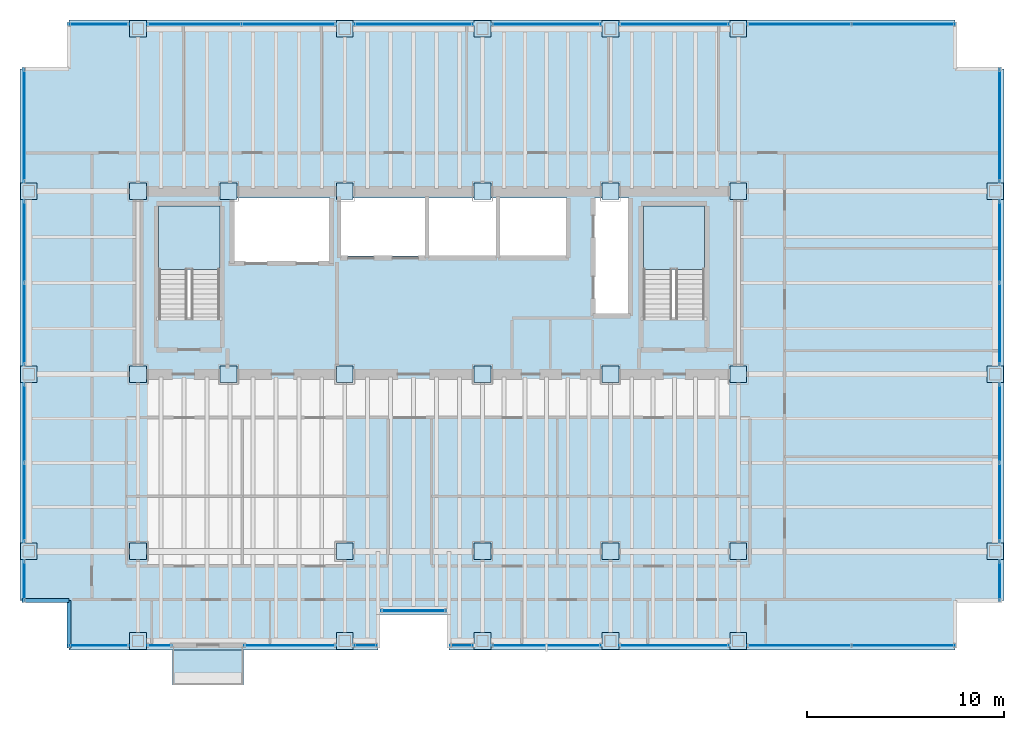
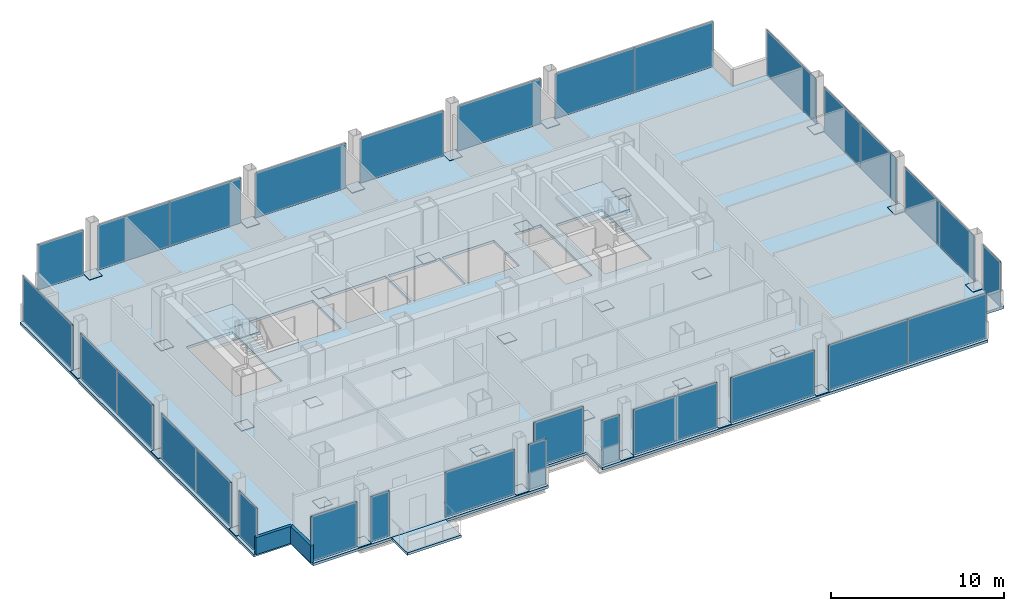
# One storey, part 16 of 20: 63 plates, 4 slabs, 2 walls, 7 openings, 25 elements without a shape of their own.
"""IFC4 building model written with IfcOpenShell, lengths in metres."""

from ifc_helpers import new_model, si_unit, direction, frame, frame_2d, origin, origin_2d, place, context, subcontext, project, spatial, polyline, rectangle, outline, extrude, material, layer, layer_set, type_object, element, aggregate, save


model = new_model("IFC4")

# Units and contexts
model_context = context("Model", 3, precision=1e-05, world=origin(), true_north=direction((0.0, 1.0)))
body_context = subcontext(model_context, "Body", "Model", "MODEL_VIEW")
ifc_project = project(units=[si_unit("LENGTHUNIT", "METRE"), si_unit("AREAUNIT", "SQUARE_METRE"), si_unit("VOLUMEUNIT", "CUBIC_METRE"), si_unit("PLANEANGLEUNIT", "RADIAN"), si_unit("MASSUNIT", "GRAM", prefix="KILO")], contexts=[model_context])

# Site, building, storey
site_placement = place(None, origin())
site = spatial("IfcSite", under=ifc_project, at=site_placement, CompositionType="ELEMENT")
building_placement = place(site_placement, origin())
building = spatial("IfcBuilding", under=site, at=building_placement, Name="Noeulbin Bourse Tower", CompositionType="ELEMENT")
storey_placement = place(building_placement, frame((0.0, 0.0, 69.39990234375)))
storey = spatial("IfcBuildingStorey", under=building, at=storey_placement, Name="L17", CompositionType="ELEMENT", Elevation=69.39990234375)

# Curtain wall, plate
ifc_material_1 = material(Name="Dark Solar-Control Double Glazing", Category="glass")
curtain_wall_type = type_object("IfcCurtainWallType", Name="CW-SYS-2", PredefinedType="NOTDEFINED", material=ifc_material_1)
curtain_wall_1_placement = place(storey_placement, origin())
curtain_wall_1 = element("IfcCurtainWall", 1, at=curtain_wall_1_placement, inside=storey, type_object=curtain_wall_type, Name="Unitised Curtain Wall CW-L17-SREC", PredefinedType="NOTDEFINED")
ifc_layer_1 = layer(ifc_material_1, 0.035888671875)
ifc_layer_set_1 = layer_set([ifc_layer_1], Name="Dark Solar-Control Double Glazing")
plate_type_1 = type_object("IfcPlateType", Name="CW-SYS-2-PNL", PredefinedType="CURTAIN_PANEL", material=ifc_layer_set_1)
plate_1_placement = place(storey_placement, frame((27.5, 16.97998046875, 0.0), z_axis=(0.0, 0.0, 1.0), x_axis=(1.0, 0.0, 0.0)))
plate_1 = element("IfcPlate", 2, at=plate_1_placement, type_object=plate_type_1, Name="Glazed Curtain Panel CW-L17-SREC-P00", PredefinedType="CURTAIN_PANEL", context=body_context, shape_type="SweptSolid", body=[
    extrude(rectangle(XDim=3.300048828125, YDim=0.035888671875, at=origin_2d()), origin(), (0.0, 0.0, 1.0), 3.179931640625),
])
aggregate(curtain_wall_1, [plate_1])

curtain_wall_2_placement = place(storey_placement, origin())
curtain_wall_2 = element("IfcCurtainWall", 3, at=curtain_wall_2_placement, inside=storey, type_object=curtain_wall_type, Name="Unitised Curtain Wall CW-L17-S1-S1", PredefinedType="NOTDEFINED")
plate_2_placement = place(storey_placement, frame((11.510009765625, 15.219970703125, 0.0), z_axis=(0.0, 0.0, 1.0), x_axis=(1.0, 0.0, 0.0)))
plate_2 = element("IfcPlate", 4, at=plate_2_placement, type_object=plate_type_1, Name="Glazed Curtain Panel CW-L17-S1-S1-P00", PredefinedType="CURTAIN_PANEL", context=body_context, shape_type="SweptSolid", body=[
    extrude(rectangle(XDim=3.06005859375, YDim=0.035888671875, at=origin_2d()), origin(), (0.0, 0.0, 1.0), 3.179931640625),
])
aggregate(curtain_wall_2, [plate_2])

curtain_wall_3_placement = place(storey_placement, origin())
curtain_wall_3 = element("IfcCurtainWall", 5, at=curtain_wall_3_placement, inside=storey, type_object=curtain_wall_type, Name="Unitised Curtain Wall CW-L17-S1-S2", PredefinedType="NOTDEFINED")
plate_3_placement = place(storey_placement, frame((14.580078125, 15.219970703125, 0.0), z_axis=(0.0, 0.0, 1.0), x_axis=(1.0, 0.0, 0.0)))
plate_3 = element("IfcPlate", 6, at=plate_3_placement, type_object=plate_type_1, Name="Glazed Curtain Panel CW-L17-S1-S2-P00", PredefinedType="CURTAIN_PANEL", context=body_context, shape_type="SweptSolid", body=[
    extrude(rectangle(XDim=1.239990234375, YDim=0.035888671875, at=origin_2d()), origin(), (0.0, 0.0, 1.0), 3.179931640625),
])
aggregate(curtain_wall_3, [plate_3])

curtain_wall_4_placement = place(storey_placement, origin())
curtain_wall_4 = element("IfcCurtainWall", 7, at=curtain_wall_4_placement, inside=storey, type_object=curtain_wall_type, Name="Unitised Curtain Wall CW-L17-S2-S1", PredefinedType="NOTDEFINED")
plate_4_placement = place(storey_placement, frame((21.219970703125, 15.219970703125, 0.0), z_axis=(0.0, 0.0, 1.0), x_axis=(1.0, 0.0, 0.0)))
plate_4 = element("IfcPlate", 8, at=plate_4_placement, type_object=plate_type_1, Name="Glazed Curtain Panel CW-L17-S2-S1-P00", PredefinedType="CURTAIN_PANEL", context=body_context, shape_type="SweptSolid", body=[
    extrude(rectangle(XDim=4.639892578125, YDim=0.035888671875, at=origin_2d()), origin(), (0.0, 0.0, 1.0), 3.179931640625),
])
aggregate(curtain_wall_4, [plate_4])

curtain_wall_5_placement = place(storey_placement, origin())
curtain_wall_5 = element("IfcCurtainWall", 9, at=curtain_wall_5_placement, inside=storey, type_object=curtain_wall_type, Name="Unitised Curtain Wall CW-L17-S2-S2", PredefinedType="NOTDEFINED")
plate_5_placement = place(storey_placement, frame((25.054931640625, 15.219970703125, 0.0), z_axis=(0.0, 0.0, 1.0), x_axis=(1.0, 0.0, 0.0)))
plate_5 = element("IfcPlate", 10, at=plate_5_placement, type_object=plate_type_1, Name="Glazed Curtain Panel CW-L17-S2-S2-P00", PredefinedType="CURTAIN_PANEL", context=body_context, shape_type="SweptSolid", body=[
    extrude(rectangle(XDim=1.18994140625, YDim=0.035888671875, at=origin_2d()), origin(), (0.0, 0.0, 1.0), 3.179931640625),
])
aggregate(curtain_wall_5, [plate_5])

curtain_wall_6_placement = place(storey_placement, origin())
curtain_wall_6 = element("IfcCurtainWall", 11, at=curtain_wall_6_placement, inside=storey, type_object=curtain_wall_type, Name="Unitised Curtain Wall CW-L17-S3-S1", PredefinedType="NOTDEFINED")
plate_6_placement = place(storey_placement, frame((29.945068359375, 15.219970703125, 0.0), z_axis=(0.0, 0.0, 1.0), x_axis=(1.0, 0.0, 0.0)))
plate_6 = element("IfcPlate", 12, at=plate_6_placement, type_object=plate_type_1, Name="Glazed Curtain Panel CW-L17-S3-S1-P00", PredefinedType="CURTAIN_PANEL", context=body_context, shape_type="SweptSolid", body=[
    extrude(rectangle(XDim=1.18994140625, YDim=0.035888671875, at=origin_2d()), origin(), (0.0, 0.0, 1.0), 3.179931640625),
])
aggregate(curtain_wall_6, [plate_6])

curtain_wall_7_placement = place(storey_placement, origin())
curtain_wall_7 = element("IfcCurtainWall", 13, at=curtain_wall_7_placement, inside=storey, type_object=curtain_wall_type, Name="Unitised Curtain Wall CW-L17-S3-S2", PredefinedType="NOTDEFINED")
plate_7_placement = place(storey_placement, frame((34.25, 15.219970703125, 0.0), z_axis=(0.0, 0.0, 1.0), x_axis=(1.0, 0.0, 0.0)))
plate_7 = element("IfcPlate", 14, at=plate_7_placement, type_object=plate_type_1, Name="Glazed Curtain Panel CW-L17-S3-S2-P00", PredefinedType="CURTAIN_PANEL", context=body_context, shape_type="SweptSolid", body=[
    extrude(rectangle(XDim=5.580078125, YDim=0.035888671875, at=origin_2d()), origin(), (0.0, 0.0, 1.0), 3.179931640625),
])
aggregate(curtain_wall_7, [plate_7])

curtain_wall_8_placement = place(storey_placement, origin())
curtain_wall_8 = element("IfcCurtainWall", 15, at=curtain_wall_8_placement, inside=storey, type_object=curtain_wall_type, Name="Unitised Curtain Wall CW-L17-S3-S3", PredefinedType="NOTDEFINED")
plate_8_placement = place(storey_placement, frame((40.75, 15.219970703125, 0.0), z_axis=(0.0, 0.0, 1.0), x_axis=(1.0, 0.0, 0.0)))
plate_8 = element("IfcPlate", 16, at=plate_8_placement, type_object=plate_type_1, Name="Glazed Curtain Panel CW-L17-S3-S3-P00", PredefinedType="CURTAIN_PANEL", context=body_context, shape_type="SweptSolid", body=[
    extrude(rectangle(XDim=5.580078125, YDim=0.035888671875, at=origin_2d()), origin(), (0.0, 0.0, 1.0), 3.179931640625),
])
aggregate(curtain_wall_8, [plate_8])

# Curtain wall, plates
curtain_wall_9_placement = place(storey_placement, origin())
curtain_wall_9 = element("IfcCurtainWall", 17, at=curtain_wall_9_placement, inside=storey, type_object=curtain_wall_type, Name="Unitised Curtain Wall CW-L17-S3-S4", PredefinedType="NOTDEFINED")
plate_9_placement = place(storey_placement, frame((47.10009765625, 15.219970703125, 0.0), z_axis=(0.0, 0.0, 1.0), x_axis=(1.0, 0.0, 0.0)))
plate_9 = element("IfcPlate", 18, at=plate_9_placement, type_object=plate_type_1, Name="Glazed Curtain Panel CW-L17-S3-S4-P00", PredefinedType="CURTAIN_PANEL", context=body_context, shape_type="SweptSolid", body=[
    extrude(rectangle(XDim=5.280029296875, YDim=0.035888671875, at=origin_2d()), origin(), (0.0, 0.0, 1.0), 3.179931640625),
])
plate_10_placement = place(storey_placement, frame((52.3798828125, 15.219970703125, 0.0), z_axis=(0.0, 0.0, 1.0), x_axis=(1.0, 0.0, 0.0)))
plate_10 = element("IfcPlate", 19, at=plate_10_placement, type_object=plate_type_1, Name="Glazed Curtain Panel CW-L17-S3-S4-P01", PredefinedType="CURTAIN_PANEL", context=body_context, shape_type="SweptSolid", body=[
    extrude(rectangle(XDim=5.280029296875, YDim=0.035888671875, at=origin_2d()), origin(), (0.0, 0.0, 1.0), 3.179931640625),
])
aggregate(curtain_wall_9, [plate_9, plate_10])

# Curtain wall, plate
curtain_wall_10_placement = place(storey_placement, origin())
curtain_wall_10 = element("IfcCurtainWall", 20, at=curtain_wall_10_placement, inside=storey, type_object=curtain_wall_type, Name="Unitised Curtain Wall CW-L17-N-S1", PredefinedType="NOTDEFINED")
plate_11_placement = place(storey_placement, frame((11.510009765625, 46.780029296875, 0.0), z_axis=(0.0, 0.0, 1.0), x_axis=(1.0, 0.0, 0.0)))
plate_11 = element("IfcPlate", 21, at=plate_11_placement, type_object=plate_type_1, Name="Glazed Curtain Panel CW-L17-N-S1-P00", PredefinedType="CURTAIN_PANEL", context=body_context, shape_type="SweptSolid", body=[
    extrude(rectangle(XDim=3.06005859375, YDim=0.035888671875, at=origin_2d()), origin(), (0.0, 0.0, 1.0), 3.179931640625),
])
aggregate(curtain_wall_10, [plate_11])

# Curtain wall, plates
curtain_wall_11_placement = place(storey_placement, origin())
curtain_wall_11 = element("IfcCurtainWall", 22, at=curtain_wall_11_placement, inside=storey, type_object=curtain_wall_type, Name="Unitised Curtain Wall CW-L17-N-S2", PredefinedType="NOTDEFINED")
plate_12_placement = place(storey_placement, frame((16.35498046875, 46.780029296875, 0.0), z_axis=(0.0, 0.0, 1.0), x_axis=(1.0, 0.0, 0.0)))
plate_12 = element("IfcPlate", 23, at=plate_12_placement, type_object=plate_type_1, Name="Glazed Curtain Panel CW-L17-N-S2-P00", PredefinedType="CURTAIN_PANEL", context=body_context, shape_type="SweptSolid", body=[
    extrude(rectangle(XDim=4.7900390625, YDim=0.035888671875, at=origin_2d()), origin(), (0.0, 0.0, 1.0), 3.179931640625),
])
plate_13_placement = place(storey_placement, frame((21.14501953125, 46.780029296875, 0.0), z_axis=(0.0, 0.0, 1.0), x_axis=(1.0, 0.0, 0.0)))
plate_13 = element("IfcPlate", 24, at=plate_13_placement, type_object=plate_type_1, Name="Glazed Curtain Panel CW-L17-N-S2-P01", PredefinedType="CURTAIN_PANEL", context=body_context, shape_type="SweptSolid", body=[
    extrude(rectangle(XDim=4.7900390625, YDim=0.035888671875, at=origin_2d()), origin(), (0.0, 0.0, 1.0), 3.179931640625),
])
aggregate(curtain_wall_11, [plate_12, plate_13])

# Curtain wall, plate
curtain_wall_12_placement = place(storey_placement, origin())
curtain_wall_12 = element("IfcCurtainWall", 25, at=curtain_wall_12_placement, inside=storey, type_object=curtain_wall_type, Name="Unitised Curtain Wall CW-L17-N-S3", PredefinedType="NOTDEFINED")
plate_14_placement = place(storey_placement, frame((27.5, 46.780029296875, 0.0), z_axis=(0.0, 0.0, 1.0), x_axis=(1.0, 0.0, 0.0)))
plate_14 = element("IfcPlate", 26, at=plate_14_placement, type_object=plate_type_1, Name="Glazed Curtain Panel CW-L17-N-S3-P00", PredefinedType="CURTAIN_PANEL", context=body_context, shape_type="SweptSolid", body=[
    extrude(rectangle(XDim=6.080078125, YDim=0.035888671875, at=origin_2d()), origin(), (0.0, 0.0, 1.0), 3.179931640625),
])
aggregate(curtain_wall_12, [plate_14])

curtain_wall_13_placement = place(storey_placement, origin())
curtain_wall_13 = element("IfcCurtainWall", 27, at=curtain_wall_13_placement, inside=storey, type_object=curtain_wall_type, Name="Unitised Curtain Wall CW-L17-N-S4", PredefinedType="NOTDEFINED")
plate_15_placement = place(storey_placement, frame((34.25, 46.780029296875, 0.0), z_axis=(0.0, 0.0, 1.0), x_axis=(1.0, 0.0, 0.0)))
plate_15 = element("IfcPlate", 28, at=plate_15_placement, type_object=plate_type_1, Name="Glazed Curtain Panel CW-L17-N-S4-P00", PredefinedType="CURTAIN_PANEL", context=body_context, shape_type="SweptSolid", body=[
    extrude(rectangle(XDim=5.580078125, YDim=0.035888671875, at=origin_2d()), origin(), (0.0, 0.0, 1.0), 3.179931640625),
])
aggregate(curtain_wall_13, [plate_15])

curtain_wall_14_placement = place(storey_placement, origin())
curtain_wall_14 = element("IfcCurtainWall", 29, at=curtain_wall_14_placement, inside=storey, type_object=curtain_wall_type, Name="Unitised Curtain Wall CW-L17-N-S5", PredefinedType="NOTDEFINED")
plate_16_placement = place(storey_placement, frame((40.75, 46.780029296875, 0.0), z_axis=(0.0, 0.0, 1.0), x_axis=(1.0, 0.0, 0.0)))
plate_16 = element("IfcPlate", 30, at=plate_16_placement, type_object=plate_type_1, Name="Glazed Curtain Panel CW-L17-N-S5-P00", PredefinedType="CURTAIN_PANEL", context=body_context, shape_type="SweptSolid", body=[
    extrude(rectangle(XDim=5.580078125, YDim=0.035888671875, at=origin_2d()), origin(), (0.0, 0.0, 1.0), 3.179931640625),
])
aggregate(curtain_wall_14, [plate_16])

# Curtain wall, plates
curtain_wall_15_placement = place(storey_placement, origin())
curtain_wall_15 = element("IfcCurtainWall", 31, at=curtain_wall_15_placement, inside=storey, type_object=curtain_wall_type, Name="Unitised Curtain Wall CW-L17-N-S6", PredefinedType="NOTDEFINED")
plate_17_placement = place(storey_placement, frame((47.10009765625, 46.780029296875, 0.0), z_axis=(0.0, 0.0, 1.0), x_axis=(1.0, 0.0, 0.0)))
plate_17 = element("IfcPlate", 32, at=plate_17_placement, type_object=plate_type_1, Name="Glazed Curtain Panel CW-L17-N-S6-P00", PredefinedType="CURTAIN_PANEL", context=body_context, shape_type="SweptSolid", body=[
    extrude(rectangle(XDim=5.280029296875, YDim=0.035888671875, at=origin_2d()), origin(), (0.0, 0.0, 1.0), 3.179931640625),
])
plate_18_placement = place(storey_placement, frame((52.3798828125, 46.780029296875, 0.0), z_axis=(0.0, 0.0, 1.0), x_axis=(1.0, 0.0, 0.0)))
plate_18 = element("IfcPlate", 33, at=plate_18_placement, type_object=plate_type_1, Name="Glazed Curtain Panel CW-L17-N-S6-P01", PredefinedType="CURTAIN_PANEL", context=body_context, shape_type="SweptSolid", body=[
    extrude(rectangle(XDim=5.280029296875, YDim=0.035888671875, at=origin_2d()), origin(), (0.0, 0.0, 1.0), 3.179931640625),
])
aggregate(curtain_wall_15, [plate_17, plate_18])

# Curtain wall, plate
curtain_wall_16_placement = place(storey_placement, origin())
curtain_wall_16 = element("IfcCurtainWall", 34, at=curtain_wall_16_placement, inside=storey, type_object=curtain_wall_type, Name="Unitised Curtain Wall CW-L17-W-S1", PredefinedType="NOTDEFINED")
plate_19_placement = place(storey_placement, frame((7.719970703125, 18.510009765625, 0.0), z_axis=(0.0, 0.0, 1.0), x_axis=(0.0, 1.0, 0.0)))
plate_19 = element("IfcPlate", 35, at=plate_19_placement, type_object=plate_type_1, Name="Glazed Curtain Panel CW-L17-W-S1-P00", PredefinedType="CURTAIN_PANEL", context=body_context, shape_type="SweptSolid", body=[
    extrude(rectangle(XDim=2.06005859375, YDim=0.035888671875, at=origin_2d()), origin(), (0.0, 0.0, 1.0), 3.179931640625),
])
aggregate(curtain_wall_16, [plate_19])

# Curtain wall, plates
curtain_wall_17_placement = place(storey_placement, origin())
curtain_wall_17 = element("IfcCurtainWall", 36, at=curtain_wall_17_placement, inside=storey, type_object=curtain_wall_type, Name="Unitised Curtain Wall CW-L17-W-S2", PredefinedType="NOTDEFINED")
plate_20_placement = place(storey_placement, frame((7.719970703125, 22.47998046875, 0.0), z_axis=(0.0, 0.0, 1.0), x_axis=(0.0, 1.0, 0.0)))
plate_20 = element("IfcPlate", 37, at=plate_20_placement, type_object=plate_type_1, Name="Glazed Curtain Panel CW-L17-W-S2-P00", PredefinedType="CURTAIN_PANEL", context=body_context, shape_type="SweptSolid", body=[
    extrude(rectangle(XDim=4.0400390625, YDim=0.035888671875, at=origin_2d()), origin(), (0.0, 0.0, 1.0), 3.179931640625),
])
plate_21_placement = place(storey_placement, frame((7.719970703125, 26.52001953125, 0.0), z_axis=(0.0, 0.0, 1.0), x_axis=(0.0, 1.0, 0.0)))
plate_21 = element("IfcPlate", 38, at=plate_21_placement, type_object=plate_type_1, Name="Glazed Curtain Panel CW-L17-W-S2-P01", PredefinedType="CURTAIN_PANEL", context=body_context, shape_type="SweptSolid", body=[
    extrude(rectangle(XDim=4.0400390625, YDim=0.035888671875, at=origin_2d()), origin(), (0.0, 0.0, 1.0), 3.179931640625),
])
aggregate(curtain_wall_17, [plate_20, plate_21])

curtain_wall_18_placement = place(storey_placement, origin())
curtain_wall_18 = element("IfcCurtainWall", 39, at=curtain_wall_18_placement, inside=storey, type_object=curtain_wall_type, Name="Unitised Curtain Wall CW-L17-W-S3", PredefinedType="NOTDEFINED")
plate_22_placement = place(storey_placement, frame((7.719970703125, 31.554931640625, 0.0), z_axis=(0.0, 0.0, 1.0), x_axis=(0.0, 1.0, 0.0)))
plate_22 = element("IfcPlate", 40, at=plate_22_placement, type_object=plate_type_1, Name="Glazed Curtain Panel CW-L17-W-S3-P00", PredefinedType="CURTAIN_PANEL", context=body_context, shape_type="SweptSolid", body=[
    extrude(rectangle(XDim=4.18994140625, YDim=0.035888671875, at=origin_2d()), origin(), (0.0, 0.0, 1.0), 3.179931640625),
])
plate_23_placement = place(storey_placement, frame((7.719970703125, 35.7451171875, 0.0), z_axis=(0.0, 0.0, 1.0), x_axis=(0.0, 1.0, 0.0)))
plate_23 = element("IfcPlate", 41, at=plate_23_placement, type_object=plate_type_1, Name="Glazed Curtain Panel CW-L17-W-S3-P01", PredefinedType="CURTAIN_PANEL", context=body_context, shape_type="SweptSolid", body=[
    extrude(rectangle(XDim=4.18994140625, YDim=0.035888671875, at=origin_2d()), origin(), (0.0, 0.0, 1.0), 3.179931640625),
])
aggregate(curtain_wall_18, [plate_22, plate_23])

# Curtain wall, plate
curtain_wall_19_placement = place(storey_placement, origin())
curtain_wall_19 = element("IfcCurtainWall", 42, at=curtain_wall_19_placement, inside=storey, type_object=curtain_wall_type, Name="Unitised Curtain Wall CW-L17-W-S4", PredefinedType="NOTDEFINED")
plate_24_placement = place(storey_placement, frame((7.719970703125, 41.639892578125, 0.0), z_axis=(0.0, 0.0, 1.0), x_axis=(0.0, 1.0, 0.0)))
plate_24 = element("IfcPlate", 43, at=plate_24_placement, type_object=plate_type_1, Name="Glazed Curtain Panel CW-L17-W-S4-P00", PredefinedType="CURTAIN_PANEL", context=body_context, shape_type="SweptSolid", body=[
    extrude(rectangle(XDim=5.760009765625, YDim=0.035888671875, at=origin_2d()), origin(), (0.0, 0.0, 1.0), 3.179931640625),
])
aggregate(curtain_wall_19, [plate_24])

curtain_wall_20_placement = place(storey_placement, origin())
curtain_wall_20 = element("IfcCurtainWall", 44, at=curtain_wall_20_placement, inside=storey, type_object=curtain_wall_type, Name="Unitised Curtain Wall CW-L17-E-S1", PredefinedType="NOTDEFINED")
plate_25_placement = place(storey_placement, frame((57.280029296875, 18.510009765625, 0.0), z_axis=(0.0, 0.0, 1.0), x_axis=(0.0, 1.0, 0.0)))
plate_25 = element("IfcPlate", 45, at=plate_25_placement, type_object=plate_type_1, Name="Glazed Curtain Panel CW-L17-E-S1-P00", PredefinedType="CURTAIN_PANEL", context=body_context, shape_type="SweptSolid", body=[
    extrude(rectangle(XDim=2.06005859375, YDim=0.035888671875, at=origin_2d()), origin(), (0.0, 0.0, 1.0), 3.179931640625),
])
aggregate(curtain_wall_20, [plate_25])

# Curtain wall, plates
curtain_wall_21_placement = place(storey_placement, origin())
curtain_wall_21 = element("IfcCurtainWall", 46, at=curtain_wall_21_placement, inside=storey, type_object=curtain_wall_type, Name="Unitised Curtain Wall CW-L17-E-S2", PredefinedType="NOTDEFINED")
plate_26_placement = place(storey_placement, frame((57.280029296875, 22.47998046875, 0.0), z_axis=(0.0, 0.0, 1.0), x_axis=(0.0, 1.0, 0.0)))
plate_26 = element("IfcPlate", 47, at=plate_26_placement, type_object=plate_type_1, Name="Glazed Curtain Panel CW-L17-E-S2-P00", PredefinedType="CURTAIN_PANEL", context=body_context, shape_type="SweptSolid", body=[
    extrude(rectangle(XDim=4.0400390625, YDim=0.035888671875, at=origin_2d()), origin(), (0.0, 0.0, 1.0), 3.179931640625),
])
plate_27_placement = place(storey_placement, frame((57.280029296875, 26.52001953125, 0.0), z_axis=(0.0, 0.0, 1.0), x_axis=(0.0, 1.0, 0.0)))
plate_27 = element("IfcPlate", 48, at=plate_27_placement, type_object=plate_type_1, Name="Glazed Curtain Panel CW-L17-E-S2-P01", PredefinedType="CURTAIN_PANEL", context=body_context, shape_type="SweptSolid", body=[
    extrude(rectangle(XDim=4.0400390625, YDim=0.035888671875, at=origin_2d()), origin(), (0.0, 0.0, 1.0), 3.179931640625),
])
aggregate(curtain_wall_21, [plate_26, plate_27])

curtain_wall_22_placement = place(storey_placement, origin())
curtain_wall_22 = element("IfcCurtainWall", 49, at=curtain_wall_22_placement, inside=storey, type_object=curtain_wall_type, Name="Unitised Curtain Wall CW-L17-E-S3", PredefinedType="NOTDEFINED")
plate_28_placement = place(storey_placement, frame((57.280029296875, 31.554931640625, 0.0), z_axis=(0.0, 0.0, 1.0), x_axis=(0.0, 1.0, 0.0)))
plate_28 = element("IfcPlate", 50, at=plate_28_placement, type_object=plate_type_1, Name="Glazed Curtain Panel CW-L17-E-S3-P00", PredefinedType="CURTAIN_PANEL", context=body_context, shape_type="SweptSolid", body=[
    extrude(rectangle(XDim=4.18994140625, YDim=0.035888671875, at=origin_2d()), origin(), (0.0, 0.0, 1.0), 3.179931640625),
])
plate_29_placement = place(storey_placement, frame((57.280029296875, 35.7451171875, 0.0), z_axis=(0.0, 0.0, 1.0), x_axis=(0.0, 1.0, 0.0)))
plate_29 = element("IfcPlate", 51, at=plate_29_placement, type_object=plate_type_1, Name="Glazed Curtain Panel CW-L17-E-S3-P01", PredefinedType="CURTAIN_PANEL", context=body_context, shape_type="SweptSolid", body=[
    extrude(rectangle(XDim=4.18994140625, YDim=0.035888671875, at=origin_2d()), origin(), (0.0, 0.0, 1.0), 3.179931640625),
])
aggregate(curtain_wall_22, [plate_28, plate_29])

# Curtain wall, plate
curtain_wall_23_placement = place(storey_placement, origin())
curtain_wall_23 = element("IfcCurtainWall", 52, at=curtain_wall_23_placement, inside=storey, type_object=curtain_wall_type, Name="Unitised Curtain Wall CW-L17-E-S4", PredefinedType="NOTDEFINED")
plate_30_placement = place(storey_placement, frame((57.280029296875, 41.639892578125, 0.0), z_axis=(0.0, 0.0, 1.0), x_axis=(0.0, 1.0, 0.0)))
plate_30 = element("IfcPlate", 53, at=plate_30_placement, type_object=plate_type_1, Name="Glazed Curtain Panel CW-L17-E-S4-P00", PredefinedType="CURTAIN_PANEL", context=body_context, shape_type="SweptSolid", body=[
    extrude(rectangle(XDim=5.760009765625, YDim=0.035888671875, at=origin_2d()), origin(), (0.0, 0.0, 1.0), 3.179931640625),
])
aggregate(curtain_wall_23, [plate_30])

# Plates
ifc_material_2 = material(Name="Steel S355", Category="steel")
ifc_layer_2 = layer(ifc_material_2, 0.030029296875)
ifc_layer_set_2 = layer_set([ifc_layer_2], Name="Steel S355")
plate_type_2 = type_object("IfcPlateType", Name="PLT-BN1", PredefinedType="USERDEFINED", material=ifc_layer_set_2)
for number, where, z_axis, x_axis, name in (
    (54, (13.5, 29.0, 0.0048828125), (0.0, 0.0, 1.0), (1.0, 0.0, 0.0), "Mega-Column Splice Plate BN1-L17-01"),
    (55, (13.5, 38.300048828125, 0.0048828125), (0.0, 0.0, 1.0), (1.0, 0.0, 0.0), "Mega-Column Splice Plate BN1-L17-02"),
    (56, (18.10009765625, 29.0, 0.0048828125), (0.0, 0.0, 1.0), (1.0, 0.0, 0.0), "Mega-Column Splice Plate BN1-L17-03"),
    (57, (18.10009765625, 38.300048828125, 0.0048828125), (0.0, 0.0, 1.0), (1.0, 0.0, 0.0), "Mega-Column Splice Plate BN1-L17-04"),
    (58, (24.0, 29.0, 0.0048828125), (0.0, 0.0, 1.0), (1.0, 0.0, 0.0), "Mega-Column Splice Plate BN1-L17-05"),
    (59, (24.0, 38.300048828125, 0.0048828125), (0.0, 0.0, 1.0), (1.0, 0.0, 0.0), "Mega-Column Splice Plate BN1-L17-06"),
    (60, (31.0, 29.0, 0.0048828125), (0.0, 0.0, 1.0), (1.0, 0.0, 0.0), "Mega-Column Splice Plate BN1-L17-07"),
    (61, (31.0, 38.300048828125, 0.0048828125), (0.0, 0.0, 1.0), (1.0, 0.0, 0.0), "Mega-Column Splice Plate BN1-L17-08"),
    (62, (37.5, 29.0, 0.0048828125), (0.0, 0.0, 1.0), (1.0, 0.0, 0.0), "Mega-Column Splice Plate BN1-L17-09"),
    (63, (37.5, 38.300048828125, 0.0048828125), (0.0, 0.0, 1.0), (1.0, 0.0, 0.0), "Mega-Column Splice Plate BN1-L17-10"),
    (64, (44.0, 29.0, 0.0048828125), (0.0, 0.0, 1.0), (1.0, 0.0, 0.0), "Mega-Column Splice Plate BN1-L17-11"),
    (65, (44.0, 38.300048828125, 0.0048828125), (0.0, 0.0, 1.0), (1.0, 0.0, 0.0), "Mega-Column Splice Plate BN1-L17-12"),
    (66, (13.5, 20.0, 0.0048828125), (0.0, 0.0, 1.0), (1.0, 0.0, 0.0), "Mega-Column Splice Plate BN1-L17-13"),
    (67, (24.0, 20.0, 0.0048828125), (0.0, 0.0, 1.0), (1.0, 0.0, 0.0), "Mega-Column Splice Plate BN1-L17-14"),
    (68, (31.0, 20.0, 0.0048828125), (0.0, 0.0, 1.0), (1.0, 0.0, 0.0), "Mega-Column Splice Plate BN1-L17-15"),
    (69, (37.5, 20.0, 0.0048828125), (0.0, 0.0, 1.0), (1.0, 0.0, 0.0), "Mega-Column Splice Plate BN1-L17-16"),
    (70, (44.0, 20.0, 0.0048828125), (0.0, 0.0, 1.0), (1.0, 0.0, 0.0), "Mega-Column Splice Plate BN1-L17-17"),
    (71, (7.949951171875, 20.0, 0.0048828125), (0.0, 0.0, 1.0), (1.0, 0.0, 0.0), "Perimeter Column Splice Plate BN1-L17-01"),
    (72, (7.949951171875, 29.0, 0.0048828125), (0.0, 0.0, 1.0), (1.0, 0.0, 0.0), "Perimeter Column Splice Plate BN1-L17-02"),
    (73, (7.949951171875, 38.300048828125, 0.0048828125), (0.0, 0.0, 1.0), (1.0, 0.0, 0.0), "Perimeter Column Splice Plate BN1-L17-03"),
    (74, (13.5, 15.449951171875, 0.0048828125), (0.0, 0.0, 1.0), (1.0, 0.0, 0.0), "Perimeter Column Splice Plate BN1-L17-04"),
    (75, (13.5, 46.550048828125, 0.0048828125), (0.0, 0.0, 1.0), (1.0, 0.0, 0.0), "Perimeter Column Splice Plate BN1-L17-05"),
    (76, (24.0, 15.449951171875, 0.0048828125), (0.0, 0.0, 1.0), (1.0, 0.0, 0.0), "Perimeter Column Splice Plate BN1-L17-06"),
    (77, (24.0, 46.550048828125, 0.0048828125), (0.0, 0.0, 1.0), (1.0, 0.0, 0.0), "Perimeter Column Splice Plate BN1-L17-07"),
    (78, (31.0, 15.449951171875, 0.0048828125), (0.0, 0.0, 1.0), (1.0, 0.0, 0.0), "Perimeter Column Splice Plate BN1-L17-08"),
    (79, (31.0, 46.550048828125, 0.0048828125), (0.0, 0.0, 1.0), (1.0, 0.0, 0.0), "Perimeter Column Splice Plate BN1-L17-09"),
    (80, (37.5, 15.449951171875, 0.0048828125), (0.0, 0.0, 1.0), (1.0, 0.0, 0.0), "Perimeter Column Splice Plate BN1-L17-10"),
    (81, (37.5, 46.550048828125, 0.0048828125), (0.0, 0.0, 1.0), (1.0, 0.0, 0.0), "Perimeter Column Splice Plate BN1-L17-11"),
    (82, (44.0, 15.449951171875, 0.0048828125), (0.0, 0.0, 1.0), (1.0, 0.0, 0.0), "Perimeter Column Splice Plate BN1-L17-12"),
    (83, (44.0, 46.550048828125, 0.0048828125), (0.0, 0.0, 1.0), (1.0, 0.0, 0.0), "Perimeter Column Splice Plate BN1-L17-13"),
    (84, (57.050048828125, 20.0, 0.0048828125), (0.0, 0.0, 1.0), (1.0, 0.0, 0.0), "Perimeter Column Splice Plate BN1-L17-14"),
    (85, (57.050048828125, 29.0, 0.0048828125), (0.0, 0.0, 1.0), (1.0, 0.0, 0.0), "Perimeter Column Splice Plate BN1-L17-15"),
    (86, (57.050048828125, 38.300048828125, 0.0048828125), (0.0, 0.0, 1.0), (1.0, 0.0, 0.0), "Perimeter Column Splice Plate BN1-L17-16"),
):
    element("IfcPlate", number, at=place(storey_placement, frame(where, z_axis=z_axis, x_axis=x_axis)), inside=storey, type_object=plate_type_2, Name=name, ObjectType="SPLICE PLATE", PredefinedType="USERDEFINED", context=body_context, shape_type="SweptSolid", body=[
        extrude(rectangle(XDim=0.85009765625, YDim=0.85009765625, at=origin_2d()), origin(), (0.0, 0.0, 1.0), 0.030029296875),
    ])

# Stair, slab
ifc_material_3 = material(Name="Concrete C40/50", Category="concrete")
stair_type = type_object("IfcStairType", Name="STR-CORE-1560", PredefinedType="HALF_TURN_STAIR", material=ifc_material_3)
stair_1_placement = place(storey_placement, origin())
stair_1 = element("IfcStair", 87, at=stair_1_placement, inside=storey, type_object=stair_type, Name="L17 ST-1", PredefinedType="HALF_TURN_STAIR")
ifc_layer_3 = layer(ifc_material_3, 0.199951171875)
ifc_layer_set_3 = layer_set([ifc_layer_3], Name="Concrete C40/50")
slab_type_1 = type_object("IfcSlabType", Name="SLB-LND-200", PredefinedType="LANDING", material=ifc_layer_set_3)
slab_1_placement = place(storey_placement, frame((0.0, 0.0, 1.75)))
slab_1 = element("IfcSlab", 88, at=slab_1_placement, type_object=slab_type_1, Name="ST-1 landing 1", PredefinedType="LANDING", context=body_context, shape_type="SweptSolid", body=[
    extrude(outline(polyline([(17.64990234375, 34.330078125), (17.64990234375, 37.5439453125), (14.550048828125, 37.5439453125), (14.550048828125, 34.330078125), (17.64990234375, 34.330078125)])), origin(), (0.0, 0.0, 1.0), 0.2001953125),
])
aggregate(stair_1, [slab_1])

stair_2_placement = place(storey_placement, origin())
stair_2 = element("IfcStair", 89, at=stair_2_placement, inside=storey, type_object=stair_type, Name="L17 ST-2", PredefinedType="HALF_TURN_STAIR")
slab_2_placement = place(storey_placement, frame((0.0, 0.0, 1.75)))
slab_2 = element("IfcSlab", 90, at=slab_2_placement, type_object=slab_type_1, Name="ST-2 landing 1", PredefinedType="LANDING", context=body_context, shape_type="SweptSolid", body=[
    extrude(outline(polyline([(42.280029296875, 34.330078125), (42.280029296875, 37.5439453125), (39.179931640625, 37.5439453125), (39.179931640625, 34.330078125), (42.280029296875, 34.330078125)])), origin(), (0.0, 0.0, 1.0), 0.2001953125),
])
aggregate(stair_2, [slab_2])

# Slab, openings
ifc_layer_4 = layer(ifc_material_3, 0.179931640625)
ifc_layer_set_4 = layer_set([ifc_layer_4], Name="Concrete C40/50")
slab_type_2 = type_object("IfcSlabType", Name="SLB-TYP-180", PredefinedType="FLOOR", material=ifc_layer_set_4)
slab_3_placement = place(storey_placement, frame((0.0, 0.0, -0.179931640625)))
slab_3 = element("IfcSlab", 91, at=slab_3_placement, inside=storey, type_object=slab_type_2, Name="Tower Structural Floor Slab L17", PredefinedType="FLOOR", context=body_context, shape_type="SweptSolid", body=[
    extrude(outline(polyline([(10.0, 15.0), (25.699951171875, 15.0), (25.699951171875, 16.800048828125), (29.300048828125, 16.800048828125), (29.300048828125, 15.0), (55.0, 15.0), (55.0, 17.5), (57.5, 17.5), (57.5, 44.5), (55.0, 44.5), (55.0, 47.0), (10.0, 47.0), (10.0, 44.5), (7.5, 44.5), (7.5, 17.5), (10.0, 17.5), (10.0, 15.0)]), holes=[polyline([(17.64990234375, 31.81005859375), (17.64990234375, 37.5439453125), (14.550048828125, 37.5439453125), (14.550048828125, 31.81005859375), (17.64990234375, 31.81005859375)]), polyline([(42.280029296875, 31.81005859375), (42.280029296875, 37.5439453125), (39.179931640625, 37.5439453125), (39.179931640625, 31.81005859375), (42.280029296875, 31.81005859375)]), polyline([(18.35009765625, 34.699951171875), (23.25, 34.699951171875), (23.25, 37.949951171875), (18.35009765625, 37.949951171875), (18.35009765625, 34.699951171875)]), polyline([(36.699951171875, 32.050048828125), (38.449951171875, 32.050048828125), (38.449951171875, 37.949951171875), (36.699951171875, 37.949951171875), (36.699951171875, 32.050048828125)]), polyline([(23.800048828125, 35.0), (28.10009765625, 35.0), (28.10009765625, 37.949951171875), (23.800048828125, 37.949951171875), (23.800048828125, 35.0)]), polyline([(28.25, 35.0), (31.699951171875, 35.0), (31.699951171875, 37.949951171875), (28.25, 37.949951171875), (28.25, 35.0)]), polyline([(31.85009765625, 35.0), (35.300048828125, 35.0), (35.300048828125, 37.949951171875), (31.85009765625, 37.949951171875), (31.85009765625, 35.0)])]), origin(), (0.0, 0.0, 1.0), 0.179931640625),
])
opening_1_placement = place(slab_3_placement, frame((0.0, 0.0, -0.010009765625)))
element("IfcOpeningElement", 92, at=opening_1_placement, cuts=slab_3, Name="Slab Shaft Opening SLB-L17-TWR-1", PredefinedType="OPENING", context=body_context, shape_type="SweptSolid", body=[
    extrude(outline(polyline([(17.64990234375, 31.81005859375), (17.64990234375, 37.5439453125), (14.550048828125, 37.5439453125), (14.550048828125, 31.81005859375), (17.64990234375, 31.81005859375)])), origin(), (0.0, 0.0, 1.0), 0.199951171875),
])
opening_2_placement = place(slab_3_placement, frame((0.0, 0.0, -0.010009765625)))
element("IfcOpeningElement", 93, at=opening_2_placement, cuts=slab_3, Name="Slab Shaft Opening SLB-L17-TWR-2", PredefinedType="OPENING", context=body_context, shape_type="SweptSolid", body=[
    extrude(outline(polyline([(42.280029296875, 31.81005859375), (42.280029296875, 37.5439453125), (39.179931640625, 37.5439453125), (39.179931640625, 31.81005859375), (42.280029296875, 31.81005859375)])), origin(), (0.0, 0.0, 1.0), 0.199951171875),
])
opening_3_placement = place(slab_3_placement, frame((0.0, 0.0, -0.010009765625)))
element("IfcOpeningElement", 94, at=opening_3_placement, cuts=slab_3, Name="Slab Shaft Opening SLB-L17-TWR-3", PredefinedType="OPENING", context=body_context, shape_type="SweptSolid", body=[
    extrude(outline(polyline([(18.35009765625, 34.699951171875), (23.25, 34.699951171875), (23.25, 37.949951171875), (18.35009765625, 37.949951171875), (18.35009765625, 34.699951171875)])), origin(), (0.0, 0.0, 1.0), 0.199951171875),
])
opening_4_placement = place(slab_3_placement, frame((0.0, 0.0, -0.010009765625)))
element("IfcOpeningElement", 95, at=opening_4_placement, cuts=slab_3, Name="Slab Shaft Opening SLB-L17-TWR-4", PredefinedType="OPENING", context=body_context, shape_type="SweptSolid", body=[
    extrude(outline(polyline([(36.699951171875, 32.050048828125), (38.449951171875, 32.050048828125), (38.449951171875, 37.949951171875), (36.699951171875, 37.949951171875), (36.699951171875, 32.050048828125)])), origin(), (0.0, 0.0, 1.0), 0.199951171875),
])
opening_5_placement = place(slab_3_placement, frame((0.0, 0.0, -0.010009765625)))
element("IfcOpeningElement", 96, at=opening_5_placement, cuts=slab_3, Name="Slab Shaft Opening SLB-L17-TWR-5", PredefinedType="OPENING", context=body_context, shape_type="SweptSolid", body=[
    extrude(outline(polyline([(23.800048828125, 35.0), (28.10009765625, 35.0), (28.10009765625, 37.949951171875), (23.800048828125, 37.949951171875), (23.800048828125, 35.0)])), origin(), (0.0, 0.0, 1.0), 0.199951171875),
])
opening_6_placement = place(slab_3_placement, frame((0.0, 0.0, -0.010009765625)))
element("IfcOpeningElement", 97, at=opening_6_placement, cuts=slab_3, Name="Slab Shaft Opening SLB-L17-TWR-6", PredefinedType="OPENING", context=body_context, shape_type="SweptSolid", body=[
    extrude(outline(polyline([(28.25, 35.0), (31.699951171875, 35.0), (31.699951171875, 37.949951171875), (28.25, 37.949951171875), (28.25, 35.0)])), origin(), (0.0, 0.0, 1.0), 0.199951171875),
])
opening_7_placement = place(slab_3_placement, frame((0.0, 0.0, -0.010009765625)))
element("IfcOpeningElement", 98, at=opening_7_placement, cuts=slab_3, Name="Slab Shaft Opening SLB-L17-TWR-7", PredefinedType="OPENING", context=body_context, shape_type="SweptSolid", body=[
    extrude(outline(polyline([(31.85009765625, 35.0), (35.300048828125, 35.0), (35.300048828125, 37.949951171875), (31.85009765625, 37.949951171875), (31.85009765625, 35.0)])), origin(), (0.0, 0.0, 1.0), 0.199951171875),
])

# Slab
slab_4_placement = place(storey_placement, frame((0.0, 0.0, -0.179931640625)))
element("IfcSlab", 99, at=slab_4_placement, inside=storey, type_object=slab_type_2, Name="Cantilevered Tree-Balcony Slab L17", PredefinedType="FLOOR", context=body_context, shape_type="SweptSolid", body=[
    extrude(outline(polyline([(15.25, 13.199951171875), (18.85009765625, 13.199951171875), (18.85009765625, 15.0), (15.25, 15.0), (15.25, 13.199951171875)])), origin(), (0.0, 0.0, 1.0), 0.179931640625),
])

# Walls
ifc_layer_5 = layer(ifc_material_3, 0.199951171875)
ifc_layer_set_5 = layer_set([ifc_layer_5], Name="Concrete C40/50")
wall_type = type_object("IfcWallType", Name="WAL-PAR-200", PredefinedType="PARAPET", material=ifc_layer_set_5)
for number, where, z_axis, x_axis, name in (
    (100, (7.60009765625, 17.5, 0.0), (0.0, 0.0, 1.0), (1.0, 0.0, 0.0), "Corner Notch Parapet L17-SW1"),
    (101, (10.0, 17.5, 0.0), (0.0, 0.0, 1.0), (0.0, -1.0, 0.0), "Corner Notch Parapet L17-SW2"),
):
    element("IfcWall", number, at=place(storey_placement, frame(where, z_axis=z_axis, x_axis=x_axis)), inside=storey, type_object=wall_type, Name=name, PredefinedType="PARAPET", context=body_context, shape_type="SweptSolid", body=[
        extrude(rectangle(XDim=2.39990234375, YDim=0.199951171875, at=frame_2d((1.199951171875, 0.0))), origin(), (0.0, 0.0, 1.0), 1.2001953125),
    ])

save(model, "model.ifc")
